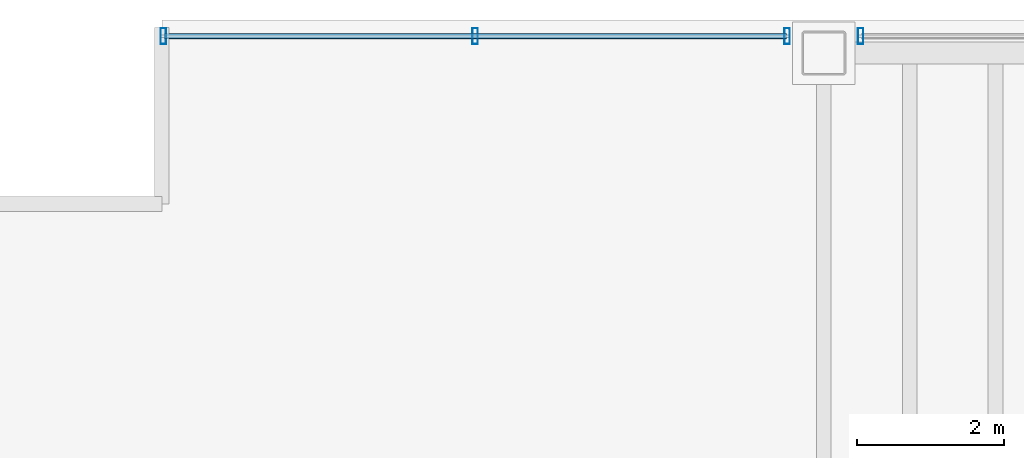
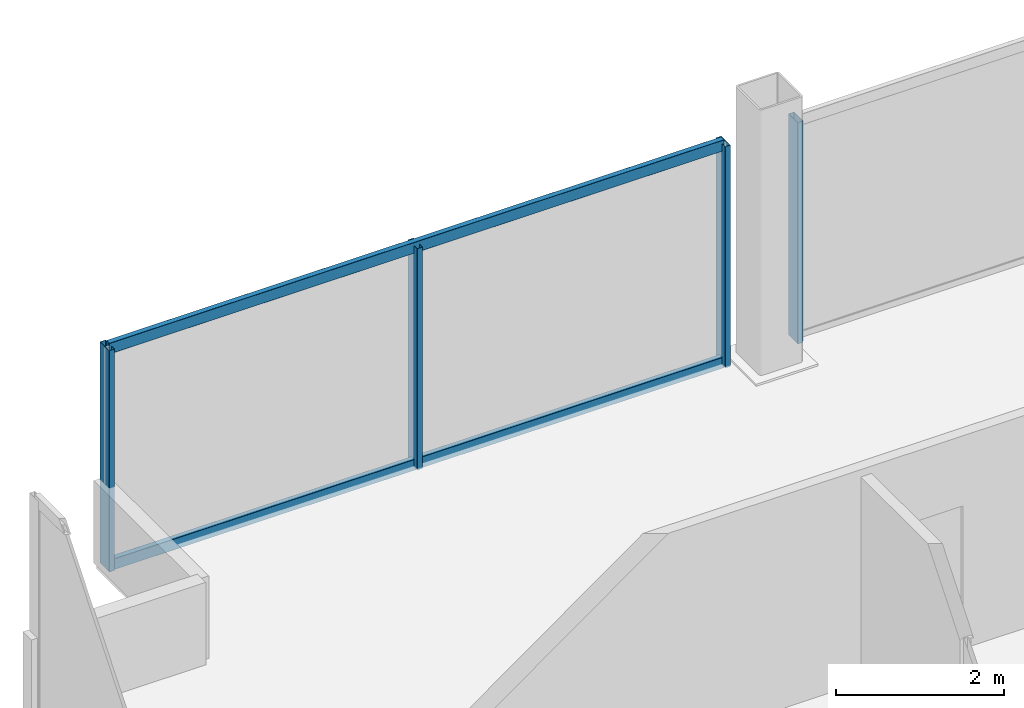
# One storey, part 14 of 21: 6 members, 2 elements without a shape of their own.
"""IFC4 building model written with IfcOpenShell, lengths in metres."""

import ifcopenshell
import ifcopenshell.guid

model = None  # the IFC model being written
_history = None  # IfcOwnerHistory: only IFC2X3 demands one
_inside = {}  # id of a spatial element -> (the spatial element, [elements in it])
_under = {}  # id of a project, library or spatial element -> (it, [spatial elements below it])
_declared = {}  # id of a project -> (the project, [libraries it declares])
_typed = {}  # id of a type object -> (the type object, [elements of that type])
_made_of = {}  # id of a material, layer set ... -> (it, [elements and type objects made of it])


def new_model(schema):
    """Start an empty IFC model of exactly this schema.

    Asked for "IFC4X3", IfcOpenShell would pick the latest addendum, in which some entities
    have other attributes; the version numbers below select the first issue.
    IFC2X3 requires an IfcOwnerHistory on every rooted entity: one is made here for all.
    """
    global model, _history
    if schema == "IFC4X3":
        model = ifcopenshell.file(schema_version=(4, 3, 0, 0))
    else:
        model = ifcopenshell.file(schema=schema)
    _inside.clear()
    _under.clear()
    _declared.clear()
    _typed.clear()
    _made_of.clear()
    _history = None
    if model.schema == "IFC2X3":
        org = make("IfcOrganization", Name="unknown")
        user = make(
            "IfcPersonAndOrganization",
            ThePerson=make("IfcPerson", FamilyName="unknown"),
            TheOrganization=org,
        )
        app = make(
            "IfcApplication",
            ApplicationDeveloper=org,
            Version="unknown",
            ApplicationFullName="unknown",
            ApplicationIdentifier="unknown",
        )
        _history = make(
            "IfcOwnerHistory",
            OwningUser=user,
            OwningApplication=app,
            ChangeAction="ADDED",
            CreationDate=0,
        )
    return model


def make(cls, **values):
    """One entity of the class cls with the attributes given. An attribute that is None is left unset."""
    return model.create_entity(
        cls, **{name: value for name, value in values.items() if value is not None}
    )


def rooted(cls, **values):
    """An entity with a GlobalId (a new one), such as an element, a storey or a relation."""
    return make(cls, GlobalId=ifcopenshell.guid.new(), OwnerHistory=_history, **values)


def si_unit(unit_type, name, prefix=None):
    """IfcSIUnit, for example si_unit("LENGTHUNIT", "METRE", prefix="MILLI")."""
    return make("IfcSIUnit", UnitType=unit_type, Prefix=prefix, Name=name)


def assignment(units):
    """IfcUnitAssignment: the units of a project."""
    return None if units is None else make("IfcUnitAssignment", Units=units)


def point(xyz):
    """IfcCartesianPoint."""
    return None if xyz is None else make("IfcCartesianPoint", Coordinates=xyz)


def direction(xyz):
    """IfcDirection."""
    return None if xyz is None else make("IfcDirection", DirectionRatios=xyz)


def frame(location, z_axis=None, x_axis=None):
    """IfcAxis2Placement3D, a coordinate frame: its origin and axes. An axis left out is left unset."""
    return make(
        "IfcAxis2Placement3D",
        Location=point(location),
        Axis=direction(z_axis),
        RefDirection=direction(x_axis),
    )


def frame_2d(location, x_axis=None):
    """IfcAxis2Placement2D, a coordinate frame in the plane: its origin and x axis."""
    return make(
        "IfcAxis2Placement2D", Location=point(location), RefDirection=direction(x_axis)
    )


def origin():
    """The frame at (0, 0, 0) with its axes left unset."""
    return frame((0.0, 0.0, 0.0))


def origin_2d():
    """The frame at (0, 0) in the plane with its x axis left unset."""
    return frame_2d((0.0, 0.0))


def place(relative_to, where):
    """IfcLocalPlacement: puts the frame where relative to a parent placement (None: the world)."""
    return make(
        "IfcLocalPlacement", PlacementRelTo=relative_to, RelativePlacement=where
    )


def context(
    kind, dimensions, precision=None, world=None, true_north=None, identifier=None
):
    """IfcGeometricRepresentationContext, for example the 3D "Model" context."""
    return make(
        "IfcGeometricRepresentationContext",
        ContextIdentifier=identifier,
        ContextType=kind,
        CoordinateSpaceDimension=dimensions,
        Precision=precision,
        WorldCoordinateSystem=world,
        TrueNorth=true_north,
    )


def subcontext(parent, identifier, kind, view, scale=None):
    """IfcGeometricRepresentationSubContext, for example "Body" below "Model"."""
    return make(
        "IfcGeometricRepresentationSubContext",
        ContextIdentifier=identifier,
        ContextType=kind,
        ParentContext=parent,
        TargetScale=scale,
        TargetView=view,
    )


def project(units=None, contexts=None):
    """IfcProject with its units and contexts."""
    return rooted(
        "IfcProject",
        Name="project",
        RepresentationContexts=contexts,
        UnitsInContext=assignment(units),
    )


def spatial(cls, under=None, at=None, **own):
    """A site, building, storey or space (cls), placed at a placement, below another one or the project."""
    s = rooted(cls, ObjectPlacement=at, **own)
    if under is not None:
        _under.setdefault(under.id(), (under, []))[1].append(s)
    return s


def profile(cls, at=None, kind="AREA", **sizes):
    """A parametric profile (cls). Its sizes go by their IFC names, for example OverallWidth=200.0."""
    return make(cls, ProfileType=kind, Position=at, **sizes)


def hollow_rectangle(**sizes):
    """IfcRectangleHollowProfileDef."""
    return profile("IfcRectangleHollowProfileDef", **sizes)


def extrude(swept, where, along, depth):
    """IfcExtrudedAreaSolid: the profile swept, set in the frame where, extruded along a direction by depth."""
    return make(
        "IfcExtrudedAreaSolid",
        SweptArea=swept,
        Position=where,
        ExtrudedDirection=direction(along),
        Depth=depth,
    )


def shape(context_of_items, identifier, shape_type, items):
    """IfcShapeRepresentation: the items that make up one representation, for example the "Body"."""
    return make(
        "IfcShapeRepresentation",
        ContextOfItems=context_of_items,
        RepresentationIdentifier=identifier,
        RepresentationType=shape_type,
        Items=items,
    )


def material(Name=None, Category=None):
    """IfcMaterial."""
    return make("IfcMaterial", Name=Name, Category=Category)


def material_profile(
    of_material, cross_section, Name=None, Category=None, Priority=None
):
    """IfcMaterialProfile: a cross section and its material."""
    return make(
        "IfcMaterialProfile",
        Name=Name,
        Material=of_material,
        Profile=cross_section,
        Priority=Priority,
        Category=Category,
    )


def profile_set(profiles, Name=None, composite=None):
    """IfcMaterialProfileSet."""
    return make(
        "IfcMaterialProfileSet",
        Name=Name,
        MaterialProfiles=profiles,
        CompositeProfile=composite,
    )


def made_of(thing, what):
    """Note that an element or type object is made of a material, layer set ...; save() writes the relation."""
    if what is not None:
        _made_of.setdefault(what.id(), (what, []))[1].append(thing)
    return thing


def type_object(cls, material=None, **own):
    """A type object (cls), such as IfcWallType, which elements share."""
    return made_of(rooted(cls, **own), material)


def element(
    cls,
    number,
    at=None,
    inside=None,
    cuts=None,
    type_object=None,
    material=None,
    context=None,
    identifier="Body",
    shape_type=None,
    held_by="IfcProductDefinitionShape",
    body=None,
    shapes=None,
    **own,
):
    """One element of the class cls, such as IfcWall. Its Tag is "e" and its number.

    at: its placement. inside: the storey or other place that contains it. cuts: it is an
    opening in that element (IfcRelVoidsElement). A single representation is given by context,
    identifier, shape_type and body (its items); several are given by shapes. held_by: the class
    of the entity that holds the representations. save() writes the other relations.
    """
    e = rooted(cls, Tag="e%d" % number, ObjectPlacement=at, **own)
    if body is not None:
        shapes = [shape(context, identifier, shape_type, body)]
    if shapes is not None:
        e.Representation = make(held_by, Representations=shapes)
    if inside is not None:
        _inside.setdefault(inside.id(), (inside, []))[1].append(e)
    if cuts is not None:
        rooted(
            "IfcRelVoidsElement", RelatingBuildingElement=cuts, RelatedOpeningElement=e
        )
    if type_object is not None:
        _typed.setdefault(type_object.id(), (type_object, []))[1].append(e)
    return made_of(e, material)


def aggregate(whole, parts):
    """IfcRelAggregates: a whole, such as a stair, and the parts it consists of."""
    return rooted("IfcRelAggregates", RelatingObject=whole, RelatedObjects=parts)


def save(model, path):
    """Write the relations noted so far, then the file.

    IfcRelAggregates (storeys below a building ...), IfcRelContainedInSpatialStructure (elements
    in a storey), IfcRelDefinesByType, IfcRelAssociatesMaterial and IfcRelDeclares: one each for
    every whole, place, type object, material and project.
    """
    for whole, parts in _under.values():
        aggregate(whole, parts)
    for where, things in _inside.values():
        rooted(
            "IfcRelContainedInSpatialStructure",
            RelatedElements=things,
            RelatingStructure=where,
        )
    for kind, things in _typed.values():
        rooted("IfcRelDefinesByType", RelatedObjects=things, RelatingType=kind)
    for what, things in _made_of.values():
        rooted("IfcRelAssociatesMaterial", RelatedObjects=things, RelatingMaterial=what)
    for by, libraries in _declared.values():
        rooted("IfcRelDeclares", RelatingContext=by, RelatedDefinitions=libraries)
    model.write(path)


model = new_model("IFC4")

# Units and contexts
model_context = context("Model", 3, precision=1e-05, world=origin(), true_north=direction((0.0, 1.0)))
body_context = subcontext(model_context, "Body", "Model", "MODEL_VIEW")
ifc_project = project(units=[si_unit("LENGTHUNIT", "METRE"), si_unit("AREAUNIT", "SQUARE_METRE"), si_unit("VOLUMEUNIT", "CUBIC_METRE"), si_unit("PLANEANGLEUNIT", "RADIAN"), si_unit("MASSUNIT", "GRAM", prefix="KILO")], contexts=[model_context])

# Site, building, storey
site_placement = place(None, origin())
site = spatial("IfcSite", under=ifc_project, at=site_placement, CompositionType="ELEMENT")
building_placement = place(site_placement, origin())
building = spatial("IfcBuilding", under=site, at=building_placement, Name="Noeulbin Bourse Tower", CompositionType="ELEMENT")
storey_placement = place(building_placement, frame((0.0, 0.0, 34.300048828125)))
storey = spatial("IfcBuildingStorey", under=building, at=storey_placement, Name="L08", CompositionType="ELEMENT", Elevation=34.300048828125)

# Curtain wall, members
ifc_material_1 = material(Name="Dark Solar-Control Double Glazing", Category="glass")
curtain_wall_type = type_object("IfcCurtainWallType", Name="CW-SYS-2", PredefinedType="NOTDEFINED", material=ifc_material_1)
curtain_wall_1_placement = place(storey_placement, origin())
curtain_wall_1 = element("IfcCurtainWall", 1, at=curtain_wall_1_placement, inside=storey, type_object=curtain_wall_type, Name="Unitised Curtain Wall CW-L08-N-S1", PredefinedType="NOTDEFINED")
ifc_material_2 = material(Name="Anodised Aluminium 6063-T6", Category="aluminium")
ifc_material_profile_1 = material_profile(ifc_material_2, hollow_rectangle(XDim=0.074951171875, YDim=0.219970703125, WallThickness=0.0048828125, InnerFilletRadius=0.00244140625, OuterFilletRadius=0.0048828125, at=origin_2d()), Name="ALU-MULL-75x220x5", Category="LoadBearing")
ifc_profile_set_1 = profile_set([ifc_material_profile_1], Name="Anodised Aluminium 6063-T6")
member_type_1 = type_object("IfcMemberType", Name="CW-SYS-2-MUL", PredefinedType="MULLION", material=ifc_profile_set_1)
member_1_placement = place(storey_placement, frame((4.52001953125, 46.780029296875, -0.02001953125), z_axis=(0.0, 0.0, 1.0), x_axis=(1.0, 0.0, 0.0)))
member_1 = element("IfcMember", 2, at=member_1_placement, type_object=member_type_1, Name="Curtain Wall Mullion CW-L08-N-S1-M00", PredefinedType="MULLION", context=body_context, shape_type="SweptSolid", body=[
    extrude(hollow_rectangle(XDim=0.074951171875, YDim=0.219970703125, WallThickness=0.0048828125, InnerFilletRadius=0.00244140625, OuterFilletRadius=0.0048828125, at=origin_2d()), origin(), (0.0, 0.0, 1.0), 3.219970703125),
])
member_2_placement = place(storey_placement, frame((8.760009765625, 46.780029296875, -0.02001953125), z_axis=(0.0, 0.0, 1.0), x_axis=(1.0, 0.0, 0.0)))
member_2 = element("IfcMember", 3, at=member_2_placement, type_object=member_type_1, Name="Curtain Wall Mullion CW-L08-N-S1-M01", PredefinedType="MULLION", context=body_context, shape_type="SweptSolid", body=[
    extrude(hollow_rectangle(XDim=0.074951171875, YDim=0.219970703125, WallThickness=0.0048828125, InnerFilletRadius=0.00244140625, OuterFilletRadius=0.0048828125, at=origin_2d()), origin(), (0.0, 0.0, 1.0), 3.219970703125),
])
member_3_placement = place(storey_placement, frame((13.0, 46.780029296875, -0.02001953125), z_axis=(0.0, 0.0, 1.0), x_axis=(1.0, 0.0, 0.0)))
member_3 = element("IfcMember", 4, at=member_3_placement, type_object=member_type_1, Name="Curtain Wall Mullion CW-L08-N-S1-M02", PredefinedType="MULLION", context=body_context, shape_type="SweptSolid", body=[
    extrude(hollow_rectangle(XDim=0.074951171875, YDim=0.219970703125, WallThickness=0.0048828125, InnerFilletRadius=0.00244140625, OuterFilletRadius=0.0048828125, at=origin_2d()), origin(), (0.0, 0.0, 1.0), 3.219970703125),
])

# Curtain wall, member
curtain_wall_2_placement = place(storey_placement, origin())
curtain_wall_2 = element("IfcCurtainWall", 5, at=curtain_wall_2_placement, inside=storey, type_object=curtain_wall_type, Name="Unitised Curtain Wall CW-L08-N-S2", PredefinedType="NOTDEFINED")
member_4_placement = place(storey_placement, frame((14.0, 46.780029296875, -0.02001953125), z_axis=(0.0, 0.0, 1.0), x_axis=(1.0, 0.0, 0.0)))
member_4 = element("IfcMember", 6, at=member_4_placement, type_object=member_type_1, Name="Curtain Wall Mullion CW-L08-N-S2-M00", PredefinedType="MULLION", context=body_context, shape_type="SweptSolid", body=[
    extrude(hollow_rectangle(XDim=0.074951171875, YDim=0.219970703125, WallThickness=0.0048828125, InnerFilletRadius=0.00244140625, OuterFilletRadius=0.0048828125, at=origin_2d()), origin(), (0.0, 0.0, 1.0), 3.219970703125),
])
aggregate(curtain_wall_2, [member_4])

# Member
ifc_material_profile_2 = material_profile(ifc_material_2, hollow_rectangle(XDim=0.074951171875, YDim=0.159912109375, WallThickness=0.0048828125, InnerFilletRadius=0.00244140625, OuterFilletRadius=0.0048828125, at=origin_2d()), Name="ALU-TRAN-75x160x5", Category="LoadBearing")
ifc_profile_set_2 = profile_set([ifc_material_profile_2], Name="Anodised Aluminium 6063-T6")
member_type_2 = type_object("IfcMemberType", Name="CW-SYS-2-TRN", PredefinedType="USERDEFINED", material=ifc_profile_set_2)
member_5_placement = place(storey_placement, frame((4.530029296875, 46.780029296875, 0.010009765625), z_axis=(1.0, 0.0, 0.0), x_axis=(0.0, 1.0, 0.0)))
member_5 = element("IfcMember", 7, at=member_5_placement, type_object=member_type_2, Name="Curtain Wall Transom CW-L08-N-S1-T00", ObjectType="TRANSOM", PredefinedType="USERDEFINED", context=body_context, shape_type="SweptSolid", body=[
    extrude(hollow_rectangle(XDim=0.074951171875, YDim=0.159912109375, WallThickness=0.0048828125, InnerFilletRadius=0.00244140625, OuterFilletRadius=0.0048828125, at=origin_2d()), origin(), (0.0, 0.0, 1.0), 8.4599609375),
])

member_6_placement = place(storey_placement, frame((4.530029296875, 46.780029296875, 3.169921875), z_axis=(1.0, 0.0, 0.0), x_axis=(0.0, 1.0, 0.0)))
member_6 = element("IfcMember", 8, at=member_6_placement, type_object=member_type_2, Name="Curtain Wall Transom CW-L08-N-S1-T01", ObjectType="TRANSOM", PredefinedType="USERDEFINED", context=body_context, shape_type="SweptSolid", body=[
    extrude(hollow_rectangle(XDim=0.074951171875, YDim=0.159912109375, WallThickness=0.0048828125, InnerFilletRadius=0.00244140625, OuterFilletRadius=0.0048828125, at=origin_2d()), origin(), (0.0, 0.0, 1.0), 8.4599609375),
])

aggregate(curtain_wall_1, [member_1, member_2, member_3, member_5, member_6])

save(model, "model.ifc")
